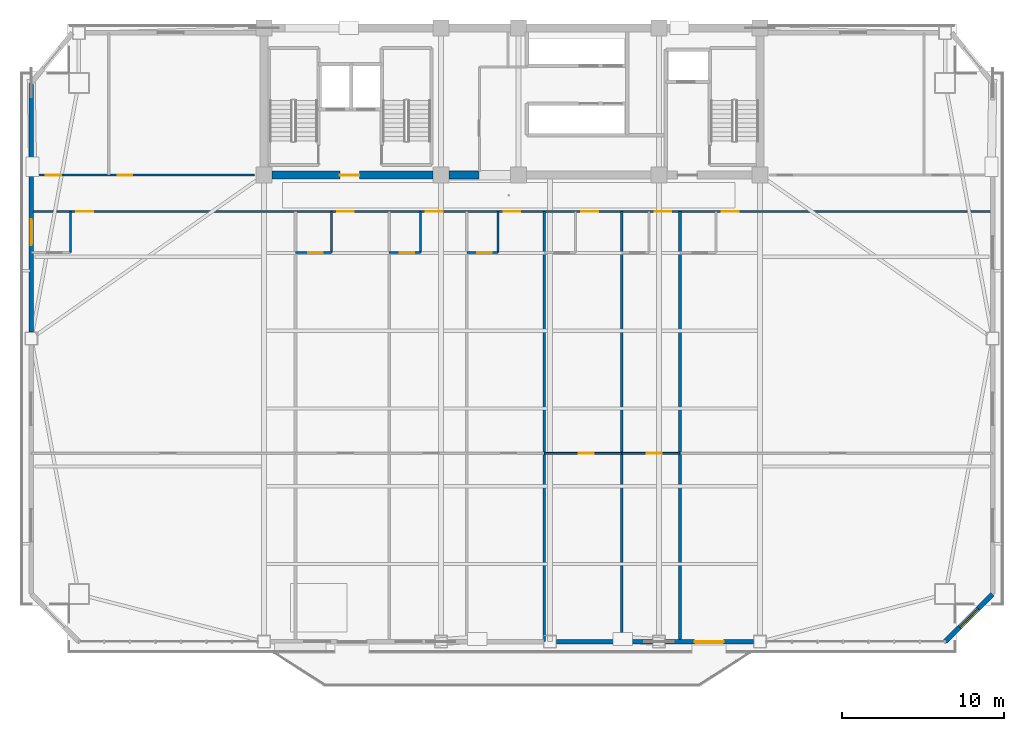
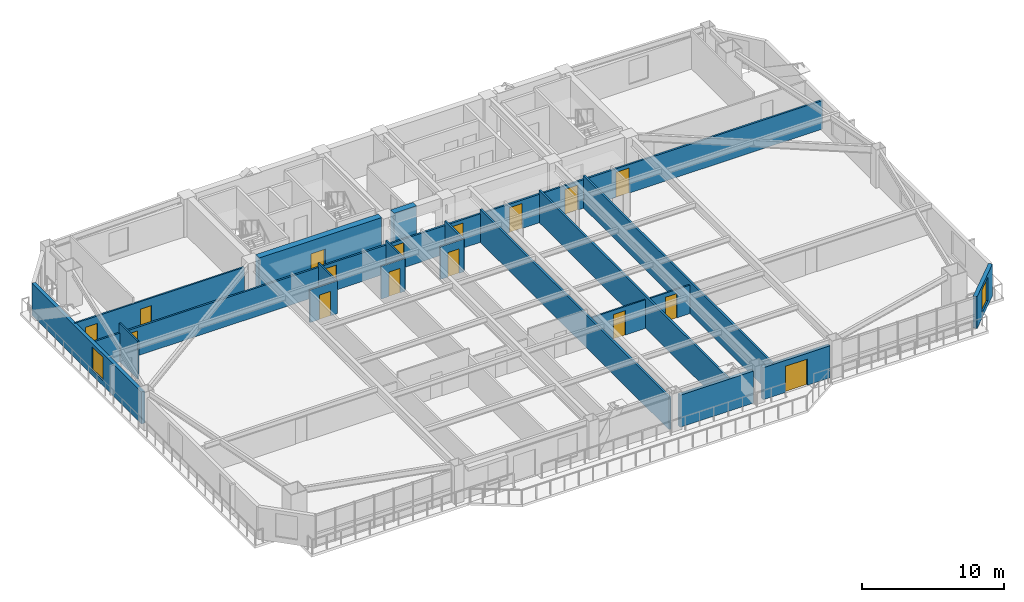
# One storey, part 8 of 15: 20 walls, 16 doors, 2 windows, 18 openings.
"""IFC4 building model written with IfcOpenShell, lengths in metres."""

from ifc_helpers import new_model, si_unit, direction, frame, frame_2d, origin, place, context, subcontext, project, spatial, rectangle, extrude, source, transform, mapped, material, layer, layer_set, type_object, element, fill, save


model = new_model("IFC4")

# Units and contexts
model_context = context("Model", 3, precision=1e-05, world=origin(), true_north=direction((0.0, 1.0)))
body_context = subcontext(model_context, "Body", "Model", "MODEL_VIEW")
ifc_project = project(units=[si_unit("LENGTHUNIT", "METRE"), si_unit("AREAUNIT", "SQUARE_METRE"), si_unit("VOLUMEUNIT", "CUBIC_METRE"), si_unit("PLANEANGLEUNIT", "RADIAN"), si_unit("MASSUNIT", "GRAM", prefix="KILO")], contexts=[model_context])

# Site, building, storey
site_placement = place(None, origin())
site = spatial("IfcSite", under=ifc_project, at=site_placement, CompositionType="ELEMENT")
building_placement = place(site_placement, origin())
building = spatial("IfcBuilding", under=site, at=building_placement, Name="Giltprow Tower", CompositionType="ELEMENT")
storey_placement = place(building_placement, frame((0.0, 0.0, 149.199951171875)))
storey = spatial("IfcBuildingStorey", under=building, at=storey_placement, Name="L36", CompositionType="ELEMENT", Elevation=149.199951171875)

# Wall, opening, window
ifc_material_1 = material(Name="Precast concrete C40", Category="concrete")
ifc_layer_1 = layer(ifc_material_1, 0.300048828125, Name="Precast concrete C40")
ifc_layer_set_1 = layer_set([ifc_layer_1], Name="Precast concrete C40")
wall_type_1 = type_object("IfcWallType", Name="EW-NOTCH-CHAMFER-300", PredefinedType="SOLIDWALL", material=ifc_layer_set_1)
wall_1_placement = place(storey_placement, frame((62.011962890625, 8.572021484375, 0.0), z_axis=(0.0, 0.0, 1.0), x_axis=(0.707106781187, 0.707106781187, 0.0)))
wall_1 = element("IfcWall", 1, at=wall_1_placement, inside=storey, type_object=wall_type_1, Name="L36 Corner Notch Wall SE", PredefinedType="SOLIDWALL", context=body_context, shape_type="SweptSolid", body=[
    extrude(rectangle(XDim=4.15625, YDim=0.300048828125, at=frame_2d((2.078125, 0.0))), origin(), (0.0, 0.0, 1.0), 2.75),
])
opening_1_placement = place(wall_1_placement, frame((1.278076171875, 0.0, 0.449951171875)))
opening_1 = element("IfcOpeningElement", 2, at=opening_1_placement, cuts=wall_1, Name="Opening WN17", PredefinedType="OPENING", context=body_context, shape_type="SweptSolid", body=[
    extrude(rectangle(XDim=1.60009765625, YDim=2.0, at=frame_2d((0.800048828125, 1.0))), frame((0.0, 0.159912109375, 0.0), z_axis=(0.0, -1.0, 0.0), x_axis=(1.0, 0.0, 0.0)), (0.0, 0.0, 1.0), 0.320068359375),
])
ifc_material_2 = material(Name="Insulated glass", Category="glass")
window_type = type_object("IfcWindowType", Name="WN-COR-1600x2000", PartitioningType="SINGLE_PANEL", PredefinedType="WINDOW", material=ifc_material_2)
shared_shape_1 = source(origin(), body_context, "Body", "SweptSolid", [
    extrude(rectangle(XDim=1.60009765625, YDim=2.0, at=frame_2d((0.800048828125, 1.0))), frame((0.0, 0.030029296875, 0.0), z_axis=(0.0, -1.0, 0.0), x_axis=(1.0, 0.0, 0.0)), (0.0, 0.0, 1.0), 0.06005859375),
])
window_1_placement = place(opening_1_placement, origin())
window_1 = element("IfcWindow", 3, at=window_1_placement, inside=storey, type_object=window_type, Name="L36 Corner Notch Window SE", OverallHeight=2.0, OverallWidth=1.60009765625, PartitioningType="SINGLE_PANEL", PredefinedType="WINDOW", context=body_context, shape_type="MappedRepresentation", body=[
    mapped(shared_shape_1, transform((0.0, 0.0, 0.0), x_axis=(1.0, 0.0, 0.0), y_axis=(0.0, 1.0, 0.0), z_axis=(0.0, 0.0, 1.0), scale=1.0)),
])
fill(opening_1, window_1)

# Wall
ifc_layer_2 = layer(ifc_material_1, 0.280029296875, Name="Precast concrete C40")
ifc_layer_set_2 = layer_set([ifc_layer_2], Name="Precast concrete C40")
wall_type_2 = type_object("IfcWallType", Name="EW-TOW-BRONZE-280", PredefinedType="SOLIDWALL", material=ifc_layer_set_2)
wall_2_placement = place(storey_placement, frame((37.949951171875, 8.572021484375, 0.0), z_axis=(0.0, 0.0, 1.0), x_axis=(1.0, 0.0, 0.0)))
element("IfcWall", 4, at=wall_2_placement, inside=storey, type_object=wall_type_2, Name="L36 South Expressed Frame Wall 4", PredefinedType="SOLIDWALL", context=body_context, shape_type="SweptSolid", body=[
    extrude(rectangle(XDim=5.949951171875, YDim=0.280029296875, at=frame_2d((2.97509765625, 0.0))), origin(), (0.0, 0.0, 1.0), 2.75),
])

# Wall, opening, door
wall_3_placement = place(storey_placement, frame((44.699951171875, 8.572021484375, 0.0), z_axis=(0.0, 0.0, 1.0), x_axis=(1.0, 0.0, 0.0)))
wall_3 = element("IfcWall", 5, at=wall_3_placement, inside=storey, type_object=wall_type_2, Name="L36 South Expressed Frame Wall 5", PredefinedType="SOLIDWALL", context=body_context, shape_type="SweptSolid", body=[
    extrude(rectangle(XDim=5.449951171875, YDim=0.280029296875, at=frame_2d((2.72509765625, 0.0))), origin(), (0.0, 0.0, 1.0), 2.75),
])
opening_2_placement = place(wall_3_placement, frame((1.800048828125, 0.0, 0.0)))
opening_2 = element("IfcOpeningElement", 6, at=opening_2_placement, cuts=wall_3, Name="Opening ED25", PredefinedType="OPENING", context=body_context, shape_type="SweptSolid", body=[
    extrude(rectangle(XDim=1.800048828125, YDim=2.25, at=frame_2d((0.89990234375, 1.125))), frame((0.0, 0.14990234375, 0.0), z_axis=(0.0, -1.0, 0.0), x_axis=(1.0, 0.0, 0.0)), (0.0, 0.0, 1.0), 0.300048828125),
])
ifc_material_3 = material(Name="Anodized bronze and glass", Category="glass")
door_type_1 = type_object("IfcDoorType", Name="DR-BALC-SLIDE-1800", OperationType="SLIDING_TO_LEFT", PredefinedType="DOOR", material=ifc_material_3)
shared_shape_2 = source(origin(), body_context, "Body", "SweptSolid", [
    extrude(rectangle(XDim=1.800048828125, YDim=2.25, at=frame_2d((0.89990234375, 1.125))), frame((0.0, 0.02490234375, 0.0), z_axis=(0.0, -1.0, 0.0), x_axis=(1.0, 0.0, 0.0)), (0.0, 0.0, 1.0), 0.050048828125),
])
door_1_placement = place(opening_2_placement, origin())
door_1 = element("IfcDoor", 7, at=door_1_placement, inside=storey, type_object=door_type_1, Name="L36 Waterfront Balcony Sliding Door 2", OperationType="SLIDING_TO_LEFT", OverallHeight=2.25, OverallWidth=1.800048828125, PredefinedType="DOOR", context=body_context, shape_type="MappedRepresentation", body=[
    mapped(shared_shape_2, transform((0.0, 0.0, 0.0), x_axis=(1.0, 0.0, 0.0), y_axis=(0.0, 1.0, 0.0), z_axis=(0.0, 0.0, 1.0), scale=1.0)),
])
fill(opening_2, door_1)

# Wall, opening, window
wall_4_placement = place(storey_placement, frame((5.448974609375, 27.736083984375, 0.0), z_axis=(0.0, 0.0, 1.0), x_axis=(0.0, 1.0, 0.0)))
wall_4 = element("IfcWall", 8, at=wall_4_placement, inside=storey, type_object=wall_type_2, Name="L36 W Wing Masonry Wall 2", PredefinedType="SOLIDWALL", context=body_context, shape_type="SweptSolid", body=[
    extrude(rectangle(XDim=15.4248046875, YDim=0.280029296875, at=frame_2d((7.71240234375, 0.0))), origin(), (0.0, 0.0, 1.0), 2.75),
])
opening_3_placement = place(wall_4_placement, frame((5.384033203125, 0.0, 0.449951171875)))
opening_3 = element("IfcOpeningElement", 9, at=opening_3_placement, cuts=wall_4, Name="Opening WN17", PredefinedType="OPENING", context=body_context, shape_type="SweptSolid", body=[
    extrude(rectangle(XDim=1.60009765625, YDim=2.0, at=frame_2d((0.800048828125, 1.0))), frame((0.0, 0.14990234375, 0.0), z_axis=(0.0, -1.0, 0.0), x_axis=(1.0, 0.0, 0.0)), (0.0, 0.0, 1.0), 0.300048828125),
])
window_2_placement = place(opening_3_placement, origin())
window_2 = element("IfcWindow", 10, at=window_2_placement, inside=storey, type_object=window_type, Name="L36 W Wing Window 2-1", OverallHeight=2.0, OverallWidth=1.60009765625, PartitioningType="SINGLE_PANEL", PredefinedType="WINDOW", context=body_context, shape_type="MappedRepresentation", body=[
    mapped(shared_shape_1, transform((0.0, 0.0, 0.0), x_axis=(1.0, 0.0, 0.0), y_axis=(0.0, 1.0, 0.0), z_axis=(0.0, 0.0, 1.0), scale=1.0)),
])
fill(opening_3, window_2)

# Wall, openings, doors
ifc_material_4 = material(Name="Gypsum stud partition", Category="gypsum")
ifc_layer_3 = layer(ifc_material_4, 0.14990234375, Name="Gypsum stud partition")
ifc_layer_set_3 = layer_set([ifc_layer_3], Name="Gypsum stud partition")
wall_type_3 = type_object("IfcWallType", Name="IW-CORR-150", PredefinedType="PARTITIONING", material=ifc_layer_set_3)
wall_5_placement = place(storey_placement, frame((5.448974609375, 35.199951171875, 0.0), z_axis=(0.0, 0.0, 1.0), x_axis=(1.0, 0.0, 0.0)))
wall_5 = element("IfcWall", 11, at=wall_5_placement, inside=storey, type_object=wall_type_3, Name="L36 Hotel Guestroom Corridor Wall", PredefinedType="PARTITIONING", context=body_context, shape_type="SweptSolid", body=[
    extrude(rectangle(XDim=59.501953125, YDim=0.14990234375, at=frame_2d((29.7509765625, 0.0))), origin(), (0.0, 0.0, 1.0), 2.455078125),
])
opening_4_placement = place(wall_5_placement, frame((2.77001953125, 0.0, 0.0)))
opening_4 = element("IfcOpeningElement", 12, at=opening_4_placement, cuts=wall_5, Name="Opening ID31", PredefinedType="OPENING", context=body_context, shape_type="SweptSolid", body=[
    extrude(rectangle(XDim=1.050048828125, YDim=2.14990234375, at=frame_2d((0.52490234375, 1.074951171875))), frame((0.0, 0.0849609375, 0.0), z_axis=(0.0, -1.0, 0.0), x_axis=(1.0, 0.0, 0.0)), (0.0, 0.0, 1.0), 0.169921875),
])
opening_5_placement = place(wall_5_placement, frame((18.9208984375, 0.0, 0.0)))
opening_5 = element("IfcOpeningElement", 13, at=opening_5_placement, cuts=wall_5, Name="Opening ID31", PredefinedType="OPENING", context=body_context, shape_type="SweptSolid", body=[
    extrude(rectangle(XDim=1.050048828125, YDim=2.14990234375, at=frame_2d((0.52490234375, 1.074951171875))), frame((0.0, 0.0849609375, 0.0), z_axis=(0.0, -1.0, 0.0), x_axis=(1.0, 0.0, 0.0)), (0.0, 0.0, 1.0), 0.169921875),
])
opening_6_placement = place(wall_5_placement, frame((24.427001953125, 0.0, 0.0)))
opening_6 = element("IfcOpeningElement", 14, at=opening_6_placement, cuts=wall_5, Name="Opening ID31", PredefinedType="OPENING", context=body_context, shape_type="SweptSolid", body=[
    extrude(rectangle(XDim=1.050048828125, YDim=2.14990234375, at=frame_2d((0.52490234375, 1.074951171875))), frame((0.0, 0.0849609375, 0.0), z_axis=(0.0, -1.0, 0.0), x_axis=(1.0, 0.0, 0.0)), (0.0, 0.0, 1.0), 0.169921875),
])
opening_7_placement = place(wall_5_placement, frame((29.22705078125, 0.0, 0.0)))
opening_7 = element("IfcOpeningElement", 15, at=opening_7_placement, cuts=wall_5, Name="Opening ID31", PredefinedType="OPENING", context=body_context, shape_type="SweptSolid", body=[
    extrude(rectangle(XDim=1.050048828125, YDim=2.14990234375, at=frame_2d((0.52490234375, 1.074951171875))), frame((0.0, 0.0849609375, 0.0), z_axis=(0.0, -1.0, 0.0), x_axis=(1.0, 0.0, 0.0)), (0.0, 0.0, 1.0), 0.169921875),
])
opening_8_placement = place(wall_5_placement, frame((34.027099609375, 0.0, 0.0)))
opening_8 = element("IfcOpeningElement", 16, at=opening_8_placement, cuts=wall_5, Name="Opening ID31", PredefinedType="OPENING", context=body_context, shape_type="SweptSolid", body=[
    extrude(rectangle(XDim=1.050048828125, YDim=2.14990234375, at=frame_2d((0.52490234375, 1.074951171875))), frame((0.0, 0.0849609375, 0.0), z_axis=(0.0, -1.0, 0.0), x_axis=(1.0, 0.0, 0.0)), (0.0, 0.0, 1.0), 0.169921875),
])
opening_9_placement = place(wall_5_placement, frame((38.571044921875, 0.0, 0.0)))
opening_9 = element("IfcOpeningElement", 17, at=opening_9_placement, cuts=wall_5, Name="Opening ID31", PredefinedType="OPENING", context=body_context, shape_type="SweptSolid", body=[
    extrude(rectangle(XDim=1.050048828125, YDim=2.14990234375, at=frame_2d((0.52490234375, 1.074951171875))), frame((0.0, 0.0849609375, 0.0), z_axis=(0.0, -1.0, 0.0), x_axis=(1.0, 0.0, 0.0)), (0.0, 0.0, 1.0), 0.169921875),
])
opening_10_placement = place(wall_5_placement, frame((42.720947265625, 0.0, 0.0)))
opening_10 = element("IfcOpeningElement", 18, at=opening_10_placement, cuts=wall_5, Name="Opening ID31", PredefinedType="OPENING", context=body_context, shape_type="SweptSolid", body=[
    extrude(rectangle(XDim=1.050048828125, YDim=2.14990234375, at=frame_2d((0.52490234375, 1.074951171875))), frame((0.0, 0.0849609375, 0.0), z_axis=(0.0, -1.0, 0.0), x_axis=(1.0, 0.0, 0.0)), (0.0, 0.0, 1.0), 0.169921875),
])
ifc_material_5 = material(Name="Engineered timber", Category="wood")
door_type_2 = type_object("IfcDoorType", Name="DR-SUITE-1050", OperationType="SINGLE_SWING_LEFT", PredefinedType="DOOR", material=ifc_material_5)
shared_shape_3 = source(origin(), body_context, "Body", "SweptSolid", [
    extrude(rectangle(XDim=1.050048828125, YDim=2.14990234375, at=frame_2d((0.52490234375, 1.074951171875))), frame((0.0, 0.02490234375, 0.0), z_axis=(0.0, -1.0, 0.0), x_axis=(1.0, 0.0, 0.0)), (0.0, 0.0, 1.0), 0.050048828125),
])
door_2_placement = place(opening_4_placement, origin())
door_2 = element("IfcDoor", 19, at=door_2_placement, inside=storey, type_object=door_type_2, Name="L36 Hotel Room 1 Entry Door", OperationType="SINGLE_SWING_RIGHT", OverallHeight=2.14990234375, OverallWidth=1.050048828125, PredefinedType="DOOR", context=body_context, shape_type="MappedRepresentation", body=[
    mapped(shared_shape_3, transform((0.0, 0.0, 0.0), x_axis=(1.0, 0.0, 0.0), y_axis=(0.0, 1.0, 0.0), z_axis=(0.0, 0.0, 1.0), scale=1.0)),
])
fill(opening_4, door_2)
door_3_placement = place(opening_5_placement, origin())
door_3 = element("IfcDoor", 20, at=door_3_placement, inside=storey, type_object=door_type_2, Name="L36 Hotel Room 2 Entry Door", OperationType="SINGLE_SWING_LEFT", OverallHeight=2.14990234375, OverallWidth=1.050048828125, PredefinedType="DOOR", context=body_context, shape_type="MappedRepresentation", body=[
    mapped(shared_shape_3, transform((0.0, 0.0, 0.0), x_axis=(1.0, 0.0, 0.0), y_axis=(0.0, 1.0, 0.0), z_axis=(0.0, 0.0, 1.0), scale=1.0)),
])
fill(opening_5, door_3)
door_4_placement = place(opening_6_placement, origin())
door_4 = element("IfcDoor", 21, at=door_4_placement, inside=storey, type_object=door_type_2, Name="L36 Hotel Room 3 Entry Door", OperationType="SINGLE_SWING_RIGHT", OverallHeight=2.14990234375, OverallWidth=1.050048828125, PredefinedType="DOOR", context=body_context, shape_type="MappedRepresentation", body=[
    mapped(shared_shape_3, transform((0.0, 0.0, 0.0), x_axis=(1.0, 0.0, 0.0), y_axis=(0.0, 1.0, 0.0), z_axis=(0.0, 0.0, 1.0), scale=1.0)),
])
fill(opening_6, door_4)
door_5_placement = place(opening_7_placement, origin())
door_5 = element("IfcDoor", 22, at=door_5_placement, inside=storey, type_object=door_type_2, Name="L36 Hotel Room 4 Entry Door", OperationType="SINGLE_SWING_LEFT", OverallHeight=2.14990234375, OverallWidth=1.050048828125, PredefinedType="DOOR", context=body_context, shape_type="MappedRepresentation", body=[
    mapped(shared_shape_3, transform((0.0, 0.0, 0.0), x_axis=(1.0, 0.0, 0.0), y_axis=(0.0, 1.0, 0.0), z_axis=(0.0, 0.0, 1.0), scale=1.0)),
])
fill(opening_7, door_5)
door_6_placement = place(opening_8_placement, origin())
door_6 = element("IfcDoor", 23, at=door_6_placement, inside=storey, type_object=door_type_2, Name="L36 Hotel Room 5 Entry Door", OperationType="SINGLE_SWING_RIGHT", OverallHeight=2.14990234375, OverallWidth=1.050048828125, PredefinedType="DOOR", context=body_context, shape_type="MappedRepresentation", body=[
    mapped(shared_shape_3, transform((0.0, 0.0, 0.0), x_axis=(1.0, 0.0, 0.0), y_axis=(0.0, 1.0, 0.0), z_axis=(0.0, 0.0, 1.0), scale=1.0)),
])
fill(opening_8, door_6)
door_7_placement = place(opening_9_placement, origin())
door_7 = element("IfcDoor", 24, at=door_7_placement, inside=storey, type_object=door_type_2, Name="L36 Hotel Room 6 Entry Door", OperationType="SINGLE_SWING_LEFT", OverallHeight=2.14990234375, OverallWidth=1.050048828125, PredefinedType="DOOR", context=body_context, shape_type="MappedRepresentation", body=[
    mapped(shared_shape_3, transform((0.0, 0.0, 0.0), x_axis=(1.0, 0.0, 0.0), y_axis=(0.0, 1.0, 0.0), z_axis=(0.0, 0.0, 1.0), scale=1.0)),
])
fill(opening_9, door_7)
door_8_placement = place(opening_10_placement, origin())
door_8 = element("IfcDoor", 25, at=door_8_placement, inside=storey, type_object=door_type_2, Name="L36 Hotel Room 7 Entry Door", OperationType="SINGLE_SWING_RIGHT", OverallHeight=2.14990234375, OverallWidth=1.050048828125, PredefinedType="DOOR", context=body_context, shape_type="MappedRepresentation", body=[
    mapped(shared_shape_3, transform((0.0, 0.0, 0.0), x_axis=(1.0, 0.0, 0.0), y_axis=(0.0, 1.0, 0.0), z_axis=(0.0, 0.0, 1.0), scale=1.0)),
])
fill(opening_10, door_8)

# Walls
ifc_layer_4 = layer(ifc_material_4, 0.159912109375, Name="Gypsum stud partition")
ifc_layer_set_4 = layer_set([ifc_layer_4], Name="Gypsum stud partition")
wall_type_4 = type_object("IfcWallType", Name="IW-DEMISE-160", PredefinedType="PARTITIONING", material=ifc_layer_set_4)
wall_6_placement = place(storey_placement, frame((37.199951171875, 8.572021484375, 0.0), z_axis=(0.0, 0.0, 1.0), x_axis=(0.0, 1.0, 0.0)))
element("IfcWall", 26, at=wall_6_placement, inside=storey, type_object=wall_type_4, Name="L36 Hotel Demising Wall 4", PredefinedType="PARTITIONING", context=body_context, shape_type="SweptSolid", body=[
    extrude(rectangle(XDim=26.6279296875, YDim=0.159912109375, at=frame_2d((13.31396484375, 0.0))), origin(), (0.0, 0.0, 1.0), 2.804931640625),
])
for number, where, z_axis, x_axis, name in (
    (27, (42.0, 8.572021484375, 0.0), (0.0, 0.0, 1.0), (0.0, 1.0, 0.0), "L36 Hotel Demising Wall 5"),
    (28, (45.60009765625, 8.572021484375, 0.0), (0.0, 0.0, 1.0), (0.0, 1.0, 0.0), "L36 Hotel Demising Wall 6"),
):
    element("IfcWall", number, at=place(storey_placement, frame(where, z_axis=z_axis, x_axis=x_axis)), inside=storey, type_object=wall_type_4, Name=name, PredefinedType="PARTITIONING", context=body_context, shape_type="SweptSolid", body=[
        extrude(rectangle(XDim=26.6279296875, YDim=0.159912109375, at=frame_2d((13.31396484375, 0.0))), origin(), (0.0, 0.0, 1.0), 2.755126953125),
    ])

# Wall, opening, door
ifc_layer_5 = layer(ifc_material_4, 0.1201171875, Name="Gypsum stud partition")
ifc_layer_set_5 = layer_set([ifc_layer_5], Name="Gypsum stud partition")
wall_type_5 = type_object("IfcWallType", Name="IW-ROOM-120", PredefinedType="PARTITIONING", material=ifc_layer_set_5)
wall_7_placement = place(storey_placement, frame((37.199951171875, 20.23291015625, 0.0), z_axis=(0.0, 0.0, 1.0), x_axis=(1.0, 0.0, 0.0)))
wall_7 = element("IfcWall", 29, at=wall_7_placement, inside=storey, type_object=wall_type_5, Name="L36 Suite Parlour Divider 5", PredefinedType="PARTITIONING", context=body_context, shape_type="SweptSolid", body=[
    extrude(rectangle(XDim=4.800048828125, YDim=0.1201171875, at=frame_2d((2.39990234375, 0.0))), origin(), (0.0, 0.0, 1.0), 2.455078125),
])
opening_11_placement = place(wall_7_placement, frame((2.125, 0.0, 0.0)))
opening_11 = element("IfcOpeningElement", 30, at=opening_11_placement, cuts=wall_7, Name="Opening ID11", PredefinedType="OPENING", context=body_context, shape_type="SweptSolid", body=[
    extrude(rectangle(XDim=0.949951171875, YDim=2.10009765625, at=frame_2d((0.47509765625, 1.050048828125))), frame((0.0, 0.070068359375, 0.0), z_axis=(0.0, -1.0, 0.0), x_axis=(1.0, 0.0, 0.0)), (0.0, 0.0, 1.0), 0.14013671875),
])
door_type_3 = type_object("IfcDoorType", Name="DR-ROOM-950", OperationType="SINGLE_SWING_RIGHT", PredefinedType="DOOR", material=ifc_material_5)
shared_shape_4 = source(origin(), body_context, "Body", "SweptSolid", [
    extrude(rectangle(XDim=0.949951171875, YDim=2.10009765625, at=frame_2d((0.47509765625, 1.050048828125))), frame((0.0, 0.02490234375, 0.0), z_axis=(0.0, -1.0, 0.0), x_axis=(1.0, 0.0, 0.0)), (0.0, 0.0, 1.0), 0.050048828125),
])
door_9_placement = place(opening_11_placement, origin())
door_9 = element("IfcDoor", 31, at=door_9_placement, inside=storey, type_object=door_type_3, Name="L36 Harbour Parlour 5 Door", OperationType="SINGLE_SWING_RIGHT", OverallHeight=2.10009765625, OverallWidth=0.949951171875, PredefinedType="DOOR", context=body_context, shape_type="MappedRepresentation", body=[
    mapped(shared_shape_4, transform((0.0, 0.0, 0.0), x_axis=(1.0, 0.0, 0.0), y_axis=(0.0, 1.0, 0.0), z_axis=(0.0, 0.0, 1.0), scale=1.0)),
])
fill(opening_11, door_9)

wall_8_placement = place(storey_placement, frame((42.0, 20.23291015625, 0.0), z_axis=(0.0, 0.0, 1.0), x_axis=(1.0, 0.0, 0.0)))
wall_8 = element("IfcWall", 32, at=wall_8_placement, inside=storey, type_object=wall_type_5, Name="L36 Suite Parlour Divider 6", PredefinedType="PARTITIONING", context=body_context, shape_type="SweptSolid", body=[
    extrude(rectangle(XDim=3.60009765625, YDim=0.1201171875, at=frame_2d((1.800048828125, 0.0))), origin(), (0.0, 0.0, 1.0), 2.455078125),
])
opening_12_placement = place(wall_8_placement, frame((1.52490234375, 0.0, 0.0)))
opening_12 = element("IfcOpeningElement", 33, at=opening_12_placement, cuts=wall_8, Name="Opening ID11", PredefinedType="OPENING", context=body_context, shape_type="SweptSolid", body=[
    extrude(rectangle(XDim=0.949951171875, YDim=2.10009765625, at=frame_2d((0.47509765625, 1.050048828125))), frame((0.0, 0.070068359375, 0.0), z_axis=(0.0, -1.0, 0.0), x_axis=(1.0, 0.0, 0.0)), (0.0, 0.0, 1.0), 0.14013671875),
])
door_10_placement = place(opening_12_placement, origin())
door_10 = element("IfcDoor", 34, at=door_10_placement, inside=storey, type_object=door_type_3, Name="L36 Harbour Parlour 6 Door", OperationType="SINGLE_SWING_LEFT", OverallHeight=2.10009765625, OverallWidth=0.949951171875, PredefinedType="DOOR", context=body_context, shape_type="MappedRepresentation", body=[
    mapped(shared_shape_4, transform((0.0, 0.0, 0.0), x_axis=(1.0, 0.0, 0.0), y_axis=(0.0, 1.0, 0.0), z_axis=(0.0, 0.0, 1.0), scale=1.0)),
])
fill(opening_12, door_10)

# Wall
ifc_material_6 = material(Name="Concrete C30", Category="concrete")
ifc_layer_6 = layer(ifc_material_6, 0.1298828125, Name="Concrete C30")
ifc_layer_set_6 = layer_set([ifc_layer_6], Name="Concrete C30")
wall_type_6 = type_object("IfcWallType", Name="IW-WET-130", PredefinedType="PARTITIONING", material=ifc_layer_set_6)
wall_9_placement = place(storey_placement, frame((7.87890625, 32.64990234375, 0.0), z_axis=(0.0, 0.0, 1.0), x_axis=(0.0, 1.0, 0.0)))
element("IfcWall", 35, at=wall_9_placement, inside=storey, type_object=wall_type_6, Name="L36 En-Suite East Wall 1", PredefinedType="PARTITIONING", context=body_context, shape_type="SweptSolid", body=[
    extrude(rectangle(XDim=2.550048828125, YDim=0.1298828125, at=frame_2d((1.27490234375, 0.0))), origin(), (0.0, 0.0, 1.0), 3.27001953125),
])

# Wall, opening, door
wall_10_placement = place(storey_placement, frame((21.800048828125, 32.64990234375, 0.0), z_axis=(0.0, 0.0, 1.0), x_axis=(1.0, 0.0, 0.0)))
wall_10 = element("IfcWall", 36, at=wall_10_placement, inside=storey, type_object=wall_type_6, Name="L36 En-Suite South Wall 2", PredefinedType="PARTITIONING", context=body_context, shape_type="SweptSolid", body=[
    extrude(rectangle(XDim=2.22998046875, YDim=0.1298828125, at=frame_2d((1.114990234375, 0.0))), origin(), (0.0, 0.0, 1.0), 2.804931640625),
])
opening_13_placement = place(wall_10_placement, frame((0.784912109375, 0.0, 0.0)))
opening_13 = element("IfcOpeningElement", 37, at=opening_13_placement, cuts=wall_10, Name="Opening ID15", PredefinedType="OPENING", context=body_context, shape_type="SweptSolid", body=[
    extrude(rectangle(XDim=0.89990234375, YDim=2.10009765625, at=frame_2d((0.449951171875, 1.050048828125))), frame((0.0, 0.074951171875, 0.0), z_axis=(0.0, -1.0, 0.0), x_axis=(1.0, 0.0, 0.0)), (0.0, 0.0, 1.0), 0.14990234375),
])
door_type_4 = type_object("IfcDoorType", Name="DR-WC-900", OperationType="SINGLE_SWING_LEFT", PredefinedType="DOOR", material=ifc_material_5)
shared_shape_5 = source(origin(), body_context, "Body", "SweptSolid", [
    extrude(rectangle(XDim=0.89990234375, YDim=2.10009765625, at=frame_2d((0.449951171875, 1.050048828125))), frame((0.0, 0.02490234375, 0.0), z_axis=(0.0, -1.0, 0.0), x_axis=(1.0, 0.0, 0.0)), (0.0, 0.0, 1.0), 0.050048828125),
])
door_11_placement = place(opening_13_placement, origin())
door_11 = element("IfcDoor", 38, at=door_11_placement, inside=storey, type_object=door_type_4, Name="L36 En-Suite 2 Door", OperationType="SINGLE_SWING_RIGHT", OverallHeight=2.10009765625, OverallWidth=0.89990234375, PredefinedType="DOOR", context=body_context, shape_type="MappedRepresentation", body=[
    mapped(shared_shape_5, transform((0.0, 0.0, 0.0), x_axis=(1.0, 0.0, 0.0), y_axis=(0.0, 1.0, 0.0), z_axis=(0.0, 0.0, 1.0), scale=1.0)),
])
fill(opening_13, door_11)

# Wall
wall_11_placement = place(storey_placement, frame((24.030029296875, 32.64990234375, 0.0), z_axis=(0.0, 0.0, 1.0), x_axis=(0.0, 1.0, 0.0)))
element("IfcWall", 39, at=wall_11_placement, inside=storey, type_object=wall_type_6, Name="L36 En-Suite East Wall 2", PredefinedType="PARTITIONING", context=body_context, shape_type="SweptSolid", body=[
    extrude(rectangle(XDim=2.550048828125, YDim=0.1298828125, at=frame_2d((1.27490234375, 0.0))), origin(), (0.0, 0.0, 1.0), 2.804931640625),
])

# Wall, opening, door
wall_12_placement = place(storey_placement, frame((27.60009765625, 32.64990234375, 0.0), z_axis=(0.0, 0.0, 1.0), x_axis=(1.0, 0.0, 0.0)))
wall_12 = element("IfcWall", 40, at=wall_12_placement, inside=storey, type_object=wall_type_6, Name="L36 En-Suite South Wall 3", PredefinedType="PARTITIONING", context=body_context, shape_type="SweptSolid", body=[
    extrude(rectangle(XDim=1.935791015625, YDim=0.1298828125, at=frame_2d((0.9677734375, 0.0))), origin(), (0.0, 0.0, 1.0), 2.804931640625),
])
opening_14_placement = place(wall_12_placement, frame((0.637939453125, 0.0, 0.0)))
opening_14 = element("IfcOpeningElement", 41, at=opening_14_placement, cuts=wall_12, Name="Opening ID15", PredefinedType="OPENING", context=body_context, shape_type="SweptSolid", body=[
    extrude(rectangle(XDim=0.89990234375, YDim=2.10009765625, at=frame_2d((0.449951171875, 1.050048828125))), frame((0.0, 0.074951171875, 0.0), z_axis=(0.0, -1.0, 0.0), x_axis=(1.0, 0.0, 0.0)), (0.0, 0.0, 1.0), 0.14990234375),
])
door_12_placement = place(opening_14_placement, origin())
door_12 = element("IfcDoor", 42, at=door_12_placement, inside=storey, type_object=door_type_4, Name="L36 En-Suite 3 Door", OperationType="SINGLE_SWING_LEFT", OverallHeight=2.10009765625, OverallWidth=0.89990234375, PredefinedType="DOOR", context=body_context, shape_type="MappedRepresentation", body=[
    mapped(shared_shape_5, transform((0.0, 0.0, 0.0), x_axis=(1.0, 0.0, 0.0), y_axis=(0.0, 1.0, 0.0), z_axis=(0.0, 0.0, 1.0), scale=1.0)),
])
fill(opening_14, door_12)

# Wall
wall_13_placement = place(storey_placement, frame((29.535888671875, 32.64990234375, 0.0), z_axis=(0.0, 0.0, 1.0), x_axis=(0.0, 1.0, 0.0)))
element("IfcWall", 43, at=wall_13_placement, inside=storey, type_object=wall_type_6, Name="L36 En-Suite East Wall 3", PredefinedType="PARTITIONING", context=body_context, shape_type="SweptSolid", body=[
    extrude(rectangle(XDim=2.550048828125, YDim=0.1298828125, at=frame_2d((1.27490234375, 0.0))), origin(), (0.0, 0.0, 1.0), 2.804931640625),
])

# Wall, opening, door
wall_14_placement = place(storey_placement, frame((32.39990234375, 32.64990234375, 0.0), z_axis=(0.0, 0.0, 1.0), x_axis=(1.0, 0.0, 0.0)))
wall_14 = element("IfcWall", 44, at=wall_14_placement, inside=storey, type_object=wall_type_6, Name="L36 En-Suite South Wall 4", PredefinedType="PARTITIONING", context=body_context, shape_type="SweptSolid", body=[
    extrude(rectangle(XDim=1.93603515625, YDim=0.1298828125, at=frame_2d((0.968017578125, 0.0))), origin(), (0.0, 0.0, 1.0), 2.804931640625),
])
opening_15_placement = place(wall_14_placement, frame((0.637939453125, 0.0, 0.0)))
opening_15 = element("IfcOpeningElement", 45, at=opening_15_placement, cuts=wall_14, Name="Opening ID15", PredefinedType="OPENING", context=body_context, shape_type="SweptSolid", body=[
    extrude(rectangle(XDim=0.89990234375, YDim=2.10009765625, at=frame_2d((0.449951171875, 1.050048828125))), frame((0.0, 0.074951171875, 0.0), z_axis=(0.0, -1.0, 0.0), x_axis=(1.0, 0.0, 0.0)), (0.0, 0.0, 1.0), 0.14990234375),
])
door_13_placement = place(opening_15_placement, origin())
door_13 = element("IfcDoor", 46, at=door_13_placement, inside=storey, type_object=door_type_4, Name="L36 En-Suite 4 Door", OperationType="SINGLE_SWING_RIGHT", OverallHeight=2.10009765625, OverallWidth=0.89990234375, PredefinedType="DOOR", context=body_context, shape_type="MappedRepresentation", body=[
    mapped(shared_shape_5, transform((0.0, 0.0, 0.0), x_axis=(1.0, 0.0, 0.0), y_axis=(0.0, 1.0, 0.0), z_axis=(0.0, 0.0, 1.0), scale=1.0)),
])
fill(opening_15, door_13)

# Wall
wall_15_placement = place(storey_placement, frame((34.3359375, 32.64990234375, 0.0), z_axis=(0.0, 0.0, 1.0), x_axis=(0.0, 1.0, 0.0)))
element("IfcWall", 47, at=wall_15_placement, inside=storey, type_object=wall_type_6, Name="L36 En-Suite East Wall 4", PredefinedType="PARTITIONING", context=body_context, shape_type="SweptSolid", body=[
    extrude(rectangle(XDim=2.550048828125, YDim=0.1298828125, at=frame_2d((1.27490234375, 0.0))), origin(), (0.0, 0.0, 1.0), 2.804931640625),
])

# Wall, openings, doors
wall_16_placement = place(storey_placement, frame((5.448974609375, 37.449951171875, 0.0), z_axis=(0.0, 0.0, 1.0), x_axis=(1.0, 0.0, 0.0)))
wall_16 = element("IfcWall", 48, at=wall_16_placement, inside=storey, type_object=wall_type_6, Name="L36 NW Wing South Wall", PredefinedType="PARTITIONING", context=body_context, shape_type="SweptSolid", body=[
    extrude(rectangle(XDim=13.801025390625, YDim=0.1298828125, at=frame_2d((6.900390625, 0.0))), origin(), (0.0, 0.0, 1.0), 2.755126953125),
])
opening_16_placement = place(wall_16_placement, frame((0.89990234375, 0.0, 0.0)))
opening_16 = element("IfcOpeningElement", 49, at=opening_16_placement, cuts=wall_16, Name="Opening ID11", PredefinedType="OPENING", context=body_context, shape_type="SweptSolid", body=[
    extrude(rectangle(XDim=0.949951171875, YDim=2.10009765625, at=frame_2d((0.47509765625, 1.050048828125))), frame((0.0, 0.074951171875, 0.0), z_axis=(0.0, -1.0, 0.0), x_axis=(1.0, 0.0, 0.0)), (0.0, 0.0, 1.0), 0.14990234375),
])
opening_17_placement = place(wall_16_placement, frame((5.340087890625, 0.0, 0.0)))
opening_17 = element("IfcOpeningElement", 50, at=opening_17_placement, cuts=wall_16, Name="Opening ID15", PredefinedType="OPENING", context=body_context, shape_type="SweptSolid", body=[
    extrude(rectangle(XDim=0.89990234375, YDim=2.10009765625, at=frame_2d((0.449951171875, 1.050048828125))), frame((0.0, 0.074951171875, 0.0), z_axis=(0.0, -1.0, 0.0), x_axis=(1.0, 0.0, 0.0)), (0.0, 0.0, 1.0), 0.14990234375),
])
door_14_placement = place(opening_17_placement, origin())
door_14 = element("IfcDoor", 51, at=door_14_placement, inside=storey, type_object=door_type_4, Name="L36 NW Washroom Door", OperationType="SINGLE_SWING_RIGHT", OverallHeight=2.10009765625, OverallWidth=0.89990234375, PredefinedType="DOOR", context=body_context, shape_type="MappedRepresentation", body=[
    mapped(shared_shape_5, transform((0.0, 0.0, 0.0), x_axis=(1.0, 0.0, 0.0), y_axis=(0.0, 1.0, 0.0), z_axis=(0.0, 0.0, 1.0), scale=1.0)),
])
fill(opening_17, door_14)
door_15_placement = place(opening_16_placement, origin())
door_15 = element("IfcDoor", 52, at=door_15_placement, inside=storey, type_object=door_type_3, Name="L36 Hotel Floor Butler Office West Door", OperationType="SINGLE_SWING_LEFT", OverallHeight=2.10009765625, OverallWidth=0.949951171875, PredefinedType="DOOR", context=body_context, shape_type="MappedRepresentation", body=[
    mapped(shared_shape_4, transform((0.0, 0.0, 0.0), x_axis=(1.0, 0.0, 0.0), y_axis=(0.0, 1.0, 0.0), z_axis=(0.0, 0.0, 1.0), scale=1.0)),
])
fill(opening_16, door_15)

# Wall, opening, door
ifc_material_7 = material(Name="Concrete C50", Category="concrete")
ifc_layer_7 = layer(ifc_material_7, 0.5, Name="Concrete C50")
ifc_layer_set_7 = layer_set([ifc_layer_7], Name="Concrete C50")
wall_type_7 = type_object("IfcWallType", Name="SW-INT-500-C50", PredefinedType="SHEAR", material=ifc_layer_set_7)
wall_17_placement = place(storey_placement, frame((20.35009765625, 37.449951171875, 0.0), z_axis=(0.0, 0.0, 1.0), x_axis=(1.0, 0.0, 0.0)))
wall_17 = element("IfcWall", 53, at=wall_17_placement, inside=storey, type_object=wall_type_7, Name="L36 South Rear Core Shear Wall West", PredefinedType="SHEAR", context=body_context, shape_type="SweptSolid", body=[
    extrude(rectangle(XDim=9.949951171875, YDim=0.5, at=frame_2d((4.97509765625, 0.0))), origin(), (0.0, 0.0, 1.0), 3.27001953125),
])
opening_18_placement = place(wall_17_placement, frame((4.199951171875, 0.0, 0.0)))
opening_18 = element("IfcOpeningElement", 54, at=opening_18_placement, cuts=wall_17, Name="Opening ID19", PredefinedType="OPENING", context=body_context, shape_type="SweptSolid", body=[
    extrude(rectangle(XDim=1.199951171875, YDim=2.14990234375, at=frame_2d((0.60009765625, 1.074951171875))), frame((0.0, 0.260009765625, 0.0), z_axis=(0.0, -1.0, 0.0), x_axis=(1.0, 0.0, 0.0)), (0.0, 0.0, 1.0), 0.52001953125),
])
ifc_material_8 = material(Name="Steel fire leaf", Category="steel")
door_type_5 = type_object("IfcDoorType", Name="DR-FFLOBBY-1200", OperationType="SINGLE_SWING_RIGHT", PredefinedType="DOOR", material=ifc_material_8)
shared_shape_6 = source(origin(), body_context, "Body", "SweptSolid", [
    extrude(rectangle(XDim=1.199951171875, YDim=2.14990234375, at=frame_2d((0.60009765625, 1.074951171875))), frame((0.0, 0.02490234375, 0.0), z_axis=(0.0, -1.0, 0.0), x_axis=(1.0, 0.0, 0.0)), (0.0, 0.0, 1.0), 0.050048828125),
])
door_16_placement = place(opening_18_placement, origin())
door_16 = element("IfcDoor", 55, at=door_16_placement, inside=storey, type_object=door_type_5, Name="L36 West Firefighting Lobby Entry Door", OperationType="SINGLE_SWING_LEFT", OverallHeight=2.14990234375, OverallWidth=1.199951171875, PredefinedType="DOOR", context=body_context, shape_type="MappedRepresentation", body=[
    mapped(shared_shape_6, transform((0.0, 0.0, 0.0), x_axis=(1.0, 0.0, 0.0), y_axis=(0.0, 1.0, 0.0), z_axis=(0.0, 0.0, 1.0), scale=1.0)),
])
fill(opening_18, door_16)

# Wall
wall_18_placement = place(storey_placement, frame((31.300048828125, 37.449951171875, 0.0), z_axis=(0.0, 0.0, 1.0), x_axis=(1.0, 0.0, 0.0)))
element("IfcWall", 56, at=wall_18_placement, inside=storey, type_object=wall_type_7, Name="L36 South Rear Core Shear Wall Mid-West", PredefinedType="SHEAR", context=body_context, shape_type="SweptSolid", body=[
    extrude(rectangle(XDim=1.849853515625, YDim=0.5, at=frame_2d((0.9248046875, 0.0))), origin(), (0.0, 0.0, 1.0), 3.27001953125),
])

save(model, "model.ifc")
